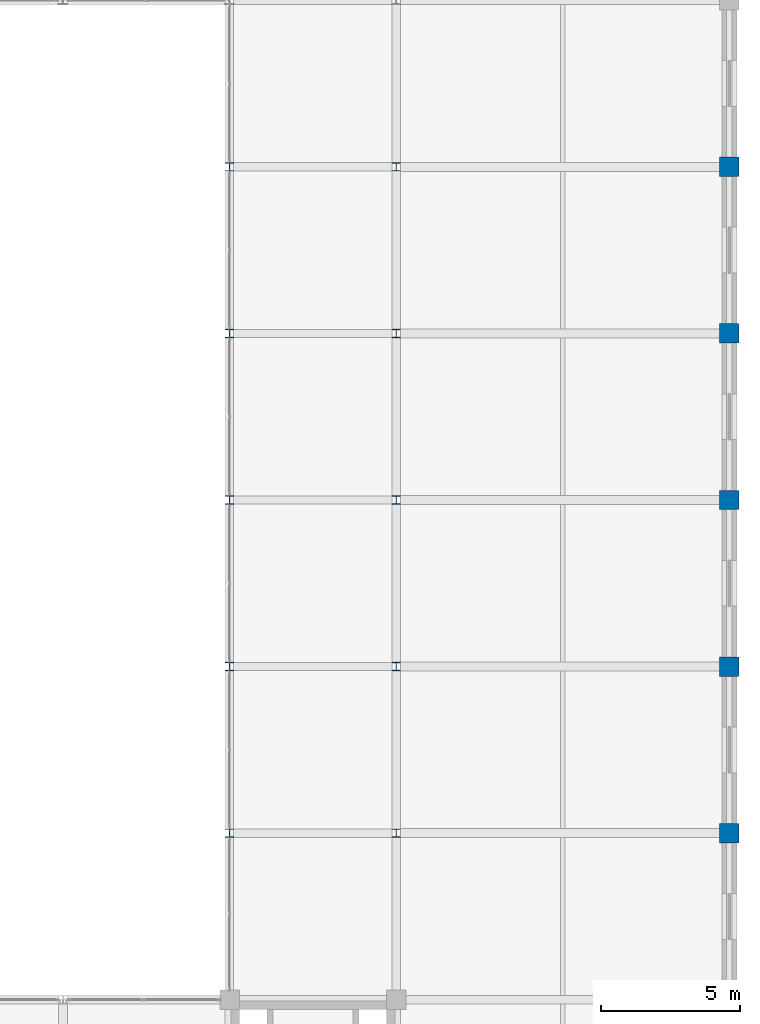
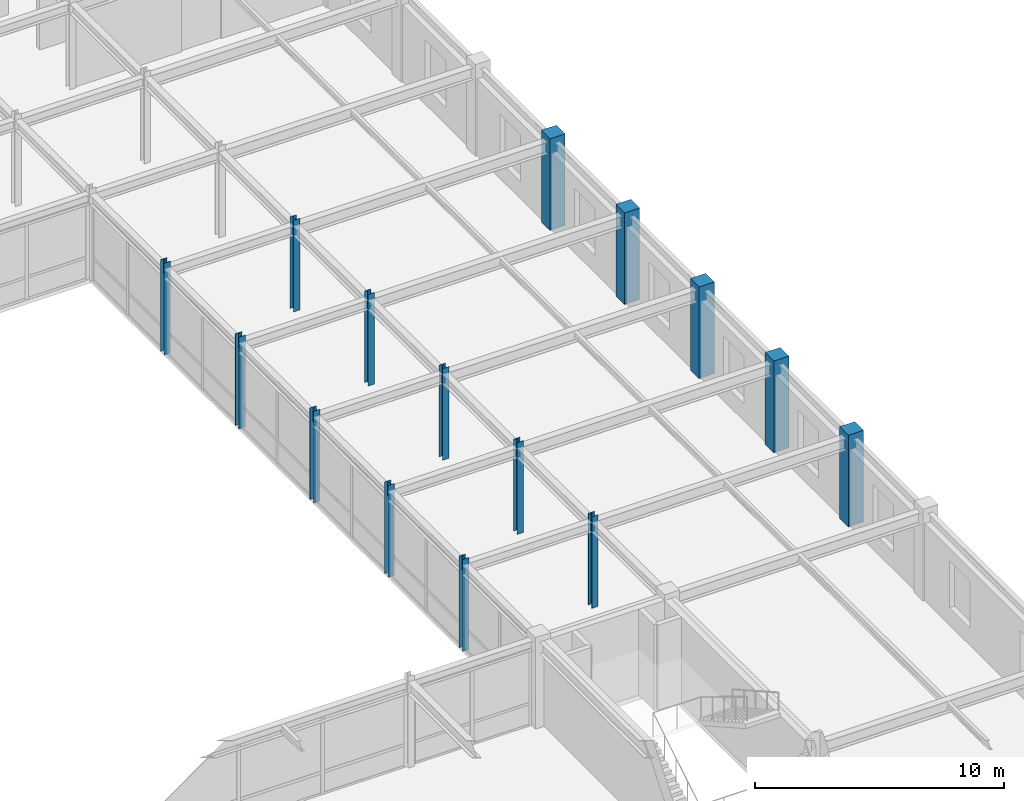
# One storey, part 20 of 108: 15 columns.
"""IFC4 building model written with IfcOpenShell, lengths in metres."""

from ifc_helpers import new_model, si_unit, direction, frame, origin, origin_2d, place, context, subcontext, project, spatial, rectangle, i_section, extrude, material, material_profile, profile_set, type_object, element, save


model = new_model("IFC4")

# Units and contexts
model_context = context("Model", 3, precision=1e-05, world=origin(), true_north=direction((0.0, 1.0)))
body_context = subcontext(model_context, "Body", "Model", "MODEL_VIEW")
ifc_project = project(units=[si_unit("LENGTHUNIT", "METRE"), si_unit("AREAUNIT", "SQUARE_METRE"), si_unit("VOLUMEUNIT", "CUBIC_METRE"), si_unit("PLANEANGLEUNIT", "RADIAN"), si_unit("MASSUNIT", "GRAM", prefix="KILO")], contexts=[model_context])

# Site, building, storey
site_placement = place(None, origin())
site = spatial("IfcSite", under=ifc_project, at=site_placement, CompositionType="ELEMENT")
building_placement = place(site_placement, origin())
building = spatial("IfcBuilding", under=site, at=building_placement, Name="Zlatovratsky Civic Hall", CompositionType="ELEMENT")
storey_placement = place(building_placement, frame((0.0, 0.0, 12.0)))
storey = spatial("IfcBuildingStorey", under=building, at=storey_placement, Name="L03", CompositionType="ELEMENT", Elevation=12.0)

# Columns
ifc_material_1 = material(Name="Concrete C35/45 (B40)", Category="concrete")
ifc_material_profile_1 = material_profile(ifc_material_1, rectangle(XDim=0.699951171875, YDim=0.699951171875, at=origin_2d()), Name="RC 700x700")
ifc_profile_set_1 = profile_set([ifc_material_profile_1], Name="Concrete C35/45 (B40)")
column_type_1 = type_object("IfcColumnType", Name="Col_CorePier_RC700", PredefinedType="COLUMN", material=ifc_profile_set_1)
for number, where, z_axis, x_axis, name in (
    (1, (168.0, 36.0, 0.0), (0.0, 0.0, 1.0), (1.0, 0.0, 0.0), "CL-1287"),
    (2, (168.0, 42.0, 0.0), (0.0, 0.0, 1.0), (1.0, 0.0, 0.0), "CL-1306"),
    (3, (168.0, 48.0, 0.0), (0.0, 0.0, 1.0), (1.0, 0.0, 0.0), "CL-1320"),
    (4, (168.0, 54.0, 0.0), (0.0, 0.0, 1.0), (1.0, 0.0, 0.0), "CL-1334"),
    (5, (168.0, 60.0, 0.0), (0.0, 0.0, 1.0), (1.0, 0.0, 0.0), "CL-1348"),
):
    element("IfcColumn", number, at=place(storey_placement, frame(where, z_axis=z_axis, x_axis=x_axis)), inside=storey, type_object=column_type_1, Name=name, PredefinedType="COLUMN", context=body_context, shape_type="SweptSolid", body=[
        extrude(rectangle(XDim=0.699951171875, YDim=0.699951171875, at=origin_2d()), origin(), (0.0, 0.0, 1.0), 4.5),
    ])
ifc_material_2 = material(Name="Steel S355", Category="steel")
ifc_material_profile_2 = material_profile(ifc_material_2, i_section(OverallWidth=0.299072265625, OverallDepth=0.2958984375, WebThickness=0.009033203125, FlangeThickness=0.013916015625, FilletRadius=0.01806640625, at=origin_2d()), Name="30K1")
ifc_profile_set_2 = profile_set([ifc_material_profile_2], Name="Steel S355")
column_type_2 = type_object("IfcColumnType", Name="Col_Steel_30K1", PredefinedType="COLUMN", material=ifc_profile_set_2)
for number, where, z_axis, x_axis, name in (
    (6, (150.0, 36.0, 0.0), (0.0, 0.0, 1.0), (1.0, 0.0, 0.0), "CL-1285"),
    (7, (156.0, 36.0, 0.0), (0.0, 0.0, 1.0), (1.0, 0.0, 0.0), "CL-1286"),
    (8, (150.0, 42.0, 0.0), (0.0, 0.0, 1.0), (1.0, 0.0, 0.0), "CL-1304"),
    (9, (156.0, 42.0, 0.0), (0.0, 0.0, 1.0), (1.0, 0.0, 0.0), "CL-1305"),
    (10, (150.0, 48.0, 0.0), (0.0, 0.0, 1.0), (1.0, 0.0, 0.0), "CL-1318"),
    (11, (156.0, 48.0, 0.0), (0.0, 0.0, 1.0), (1.0, 0.0, 0.0), "CL-1319"),
    (12, (150.0, 54.0, 0.0), (0.0, 0.0, 1.0), (1.0, 0.0, 0.0), "CL-1332"),
    (13, (156.0, 54.0, 0.0), (0.0, 0.0, 1.0), (1.0, 0.0, 0.0), "CL-1333"),
    (14, (150.0, 60.0, 0.0), (0.0, 0.0, 1.0), (1.0, 0.0, 0.0), "CL-1346"),
    (15, (156.0, 60.0, 0.0), (0.0, 0.0, 1.0), (1.0, 0.0, 0.0), "CL-1347"),
):
    element("IfcColumn", number, at=place(storey_placement, frame(where, z_axis=z_axis, x_axis=x_axis)), inside=storey, type_object=column_type_2, Name=name, PredefinedType="COLUMN", context=body_context, shape_type="SweptSolid", body=[
        extrude(i_section(OverallWidth=0.299072265625, OverallDepth=0.2958984375, WebThickness=0.009033203125, FlangeThickness=0.013916015625, FilletRadius=0.01806640625, at=origin_2d()), origin(), (0.0, 0.0, 1.0), 4.5),
    ])

save(model, "model.ifc")
